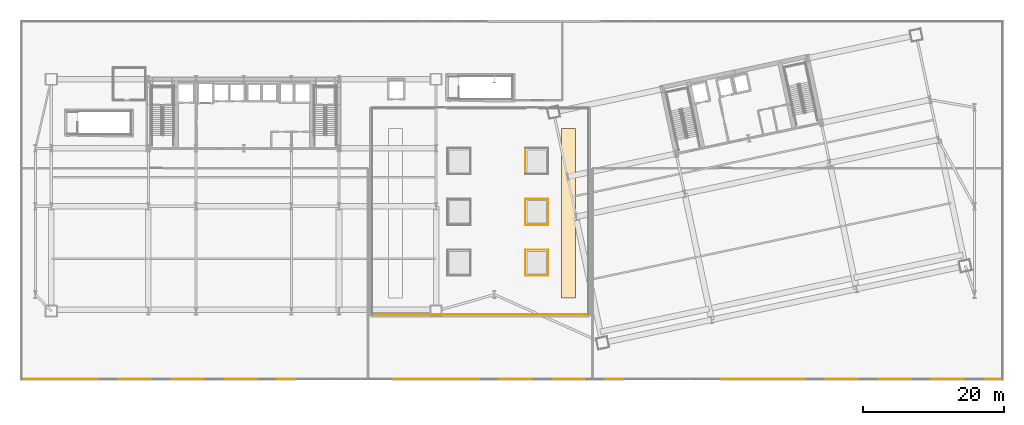
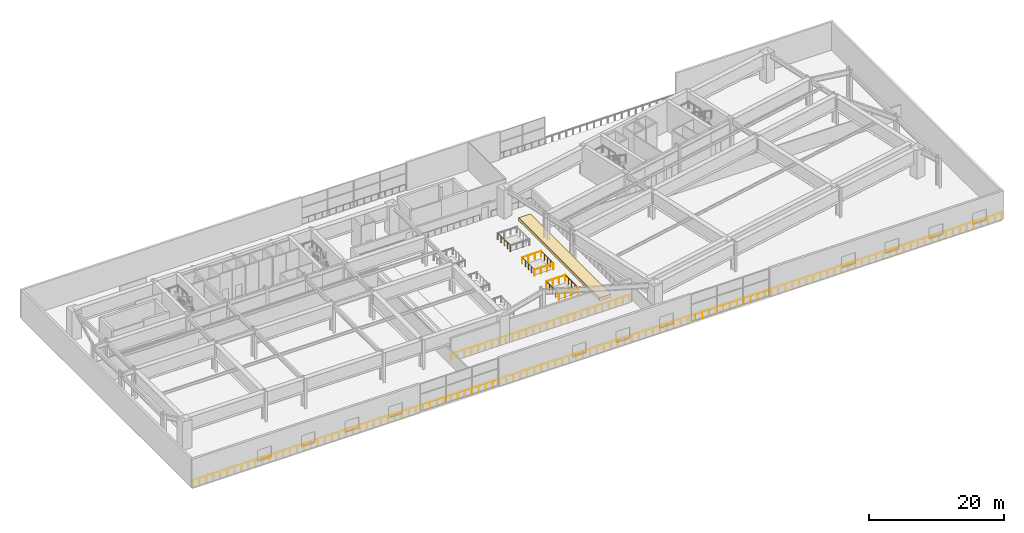
# One storey, part 24 of 29: 11 railings, 1 covering.
"""IFC4 building model written with IfcOpenShell, lengths in metres."""

import ifcopenshell
import ifcopenshell.guid

model = None  # the IFC model being written
_history = None  # IfcOwnerHistory: only IFC2X3 demands one
_inside = {}  # id of a spatial element -> (the spatial element, [elements in it])
_under = {}  # id of a project, library or spatial element -> (it, [spatial elements below it])
_declared = {}  # id of a project -> (the project, [libraries it declares])
_typed = {}  # id of a type object -> (the type object, [elements of that type])
_made_of = {}  # id of a material, layer set ... -> (it, [elements and type objects made of it])


def new_model(schema):
    """Start an empty IFC model of exactly this schema.

    Asked for "IFC4X3", IfcOpenShell would pick the latest addendum, in which some entities
    have other attributes; the version numbers below select the first issue.
    IFC2X3 requires an IfcOwnerHistory on every rooted entity: one is made here for all.
    """
    global model, _history
    if schema == "IFC4X3":
        model = ifcopenshell.file(schema_version=(4, 3, 0, 0))
    else:
        model = ifcopenshell.file(schema=schema)
    _inside.clear()
    _under.clear()
    _declared.clear()
    _typed.clear()
    _made_of.clear()
    _history = None
    if model.schema == "IFC2X3":
        org = make("IfcOrganization", Name="unknown")
        user = make(
            "IfcPersonAndOrganization",
            ThePerson=make("IfcPerson", FamilyName="unknown"),
            TheOrganization=org,
        )
        app = make(
            "IfcApplication",
            ApplicationDeveloper=org,
            Version="unknown",
            ApplicationFullName="unknown",
            ApplicationIdentifier="unknown",
        )
        _history = make(
            "IfcOwnerHistory",
            OwningUser=user,
            OwningApplication=app,
            ChangeAction="ADDED",
            CreationDate=0,
        )
    return model


def make(cls, **values):
    """One entity of the class cls with the attributes given. An attribute that is None is left unset."""
    return model.create_entity(
        cls, **{name: value for name, value in values.items() if value is not None}
    )


def rooted(cls, **values):
    """An entity with a GlobalId (a new one), such as an element, a storey or a relation."""
    return make(cls, GlobalId=ifcopenshell.guid.new(), OwnerHistory=_history, **values)


def si_unit(unit_type, name, prefix=None):
    """IfcSIUnit, for example si_unit("LENGTHUNIT", "METRE", prefix="MILLI")."""
    return make("IfcSIUnit", UnitType=unit_type, Prefix=prefix, Name=name)


def assignment(units):
    """IfcUnitAssignment: the units of a project."""
    return None if units is None else make("IfcUnitAssignment", Units=units)


def point(xyz):
    """IfcCartesianPoint."""
    return None if xyz is None else make("IfcCartesianPoint", Coordinates=xyz)


def direction(xyz):
    """IfcDirection."""
    return None if xyz is None else make("IfcDirection", DirectionRatios=xyz)


def frame(location, z_axis=None, x_axis=None):
    """IfcAxis2Placement3D, a coordinate frame: its origin and axes. An axis left out is left unset."""
    return make(
        "IfcAxis2Placement3D",
        Location=point(location),
        Axis=direction(z_axis),
        RefDirection=direction(x_axis),
    )


def frame_2d(location, x_axis=None):
    """IfcAxis2Placement2D, a coordinate frame in the plane: its origin and x axis."""
    return make(
        "IfcAxis2Placement2D", Location=point(location), RefDirection=direction(x_axis)
    )


def origin():
    """The frame at (0, 0, 0) with its axes left unset."""
    return frame((0.0, 0.0, 0.0))


def origin_2d():
    """The frame at (0, 0) in the plane with its x axis left unset."""
    return frame_2d((0.0, 0.0))


def place(relative_to, where):
    """IfcLocalPlacement: puts the frame where relative to a parent placement (None: the world)."""
    return make(
        "IfcLocalPlacement", PlacementRelTo=relative_to, RelativePlacement=where
    )


def context(
    kind, dimensions, precision=None, world=None, true_north=None, identifier=None
):
    """IfcGeometricRepresentationContext, for example the 3D "Model" context."""
    return make(
        "IfcGeometricRepresentationContext",
        ContextIdentifier=identifier,
        ContextType=kind,
        CoordinateSpaceDimension=dimensions,
        Precision=precision,
        WorldCoordinateSystem=world,
        TrueNorth=true_north,
    )


def subcontext(parent, identifier, kind, view, scale=None):
    """IfcGeometricRepresentationSubContext, for example "Body" below "Model"."""
    return make(
        "IfcGeometricRepresentationSubContext",
        ContextIdentifier=identifier,
        ContextType=kind,
        ParentContext=parent,
        TargetScale=scale,
        TargetView=view,
    )


def project(units=None, contexts=None):
    """IfcProject with its units and contexts."""
    return rooted(
        "IfcProject",
        Name="project",
        RepresentationContexts=contexts,
        UnitsInContext=assignment(units),
    )


def spatial(cls, under=None, at=None, **own):
    """A site, building, storey or space (cls), placed at a placement, below another one or the project."""
    s = rooted(cls, ObjectPlacement=at, **own)
    if under is not None:
        _under.setdefault(under.id(), (under, []))[1].append(s)
    return s


def polyline(points):
    """IfcPolyline through the points."""
    return make("IfcPolyline", Points=[point(p) for p in points])


def profile(cls, at=None, kind="AREA", **sizes):
    """A parametric profile (cls). Its sizes go by their IFC names, for example OverallWidth=200.0."""
    return make(cls, ProfileType=kind, Position=at, **sizes)


def rectangle(**sizes):
    """IfcRectangleProfileDef."""
    return profile("IfcRectangleProfileDef", **sizes)


def outline(outer, holes=None, kind="AREA"):
    """IfcArbitraryClosedProfileDef: a profile drawn as a closed curve; with holes, ...WithVoids."""
    if holes is None:
        return make("IfcArbitraryClosedProfileDef", ProfileType=kind, OuterCurve=outer)
    return make(
        "IfcArbitraryProfileDefWithVoids",
        ProfileType=kind,
        OuterCurve=outer,
        InnerCurves=holes,
    )


def extrude(swept, where, along, depth):
    """IfcExtrudedAreaSolid: the profile swept, set in the frame where, extruded along a direction by depth."""
    return make(
        "IfcExtrudedAreaSolid",
        SweptArea=swept,
        Position=where,
        ExtrudedDirection=direction(along),
        Depth=depth,
    )


def shape(context_of_items, identifier, shape_type, items):
    """IfcShapeRepresentation: the items that make up one representation, for example the "Body"."""
    return make(
        "IfcShapeRepresentation",
        ContextOfItems=context_of_items,
        RepresentationIdentifier=identifier,
        RepresentationType=shape_type,
        Items=items,
    )


def material(Name=None, Category=None):
    """IfcMaterial."""
    return make("IfcMaterial", Name=Name, Category=Category)


def layer(
    of_material, thickness, ventilated=None, Name=None, Category=None, Priority=None
):
    """IfcMaterialLayer: one layer of a wall or slab, of a material (None: an air gap)."""
    return make(
        "IfcMaterialLayer",
        Material=of_material,
        LayerThickness=thickness,
        IsVentilated=ventilated,
        Name=Name,
        Category=Category,
        Priority=Priority,
    )


def layer_set(layers, Name=None):
    """IfcMaterialLayerSet."""
    return make("IfcMaterialLayerSet", MaterialLayers=layers, LayerSetName=Name)


def made_of(thing, what):
    """Note that an element or type object is made of a material, layer set ...; save() writes the relation."""
    if what is not None:
        _made_of.setdefault(what.id(), (what, []))[1].append(thing)
    return thing


def type_object(cls, material=None, **own):
    """A type object (cls), such as IfcWallType, which elements share."""
    return made_of(rooted(cls, **own), material)


def element(
    cls,
    number,
    at=None,
    inside=None,
    cuts=None,
    type_object=None,
    material=None,
    context=None,
    identifier="Body",
    shape_type=None,
    held_by="IfcProductDefinitionShape",
    body=None,
    shapes=None,
    **own,
):
    """One element of the class cls, such as IfcWall. Its Tag is "e" and its number.

    at: its placement. inside: the storey or other place that contains it. cuts: it is an
    opening in that element (IfcRelVoidsElement). A single representation is given by context,
    identifier, shape_type and body (its items); several are given by shapes. held_by: the class
    of the entity that holds the representations. save() writes the other relations.
    """
    e = rooted(cls, Tag="e%d" % number, ObjectPlacement=at, **own)
    if body is not None:
        shapes = [shape(context, identifier, shape_type, body)]
    if shapes is not None:
        e.Representation = make(held_by, Representations=shapes)
    if inside is not None:
        _inside.setdefault(inside.id(), (inside, []))[1].append(e)
    if cuts is not None:
        rooted(
            "IfcRelVoidsElement", RelatingBuildingElement=cuts, RelatedOpeningElement=e
        )
    if type_object is not None:
        _typed.setdefault(type_object.id(), (type_object, []))[1].append(e)
    return made_of(e, material)


def aggregate(whole, parts):
    """IfcRelAggregates: a whole, such as a stair, and the parts it consists of."""
    return rooted("IfcRelAggregates", RelatingObject=whole, RelatedObjects=parts)


def save(model, path):
    """Write the relations noted so far, then the file.

    IfcRelAggregates (storeys below a building ...), IfcRelContainedInSpatialStructure (elements
    in a storey), IfcRelDefinesByType, IfcRelAssociatesMaterial and IfcRelDeclares: one each for
    every whole, place, type object, material and project.
    """
    for whole, parts in _under.values():
        aggregate(whole, parts)
    for where, things in _inside.values():
        rooted(
            "IfcRelContainedInSpatialStructure",
            RelatedElements=things,
            RelatingStructure=where,
        )
    for kind, things in _typed.values():
        rooted("IfcRelDefinesByType", RelatedObjects=things, RelatingType=kind)
    for what, things in _made_of.values():
        rooted("IfcRelAssociatesMaterial", RelatedObjects=things, RelatingMaterial=what)
    for by, libraries in _declared.values():
        rooted("IfcRelDeclares", RelatingContext=by, RelatedDefinitions=libraries)
    model.write(path)


model = new_model("IFC4")

# Units and contexts
model_context = context("Model", 3, precision=1e-05, world=origin(), true_north=direction((0.0, 1.0)))
body_context = subcontext(model_context, "Body", "Model", "MODEL_VIEW")
ifc_project = project(units=[si_unit("LENGTHUNIT", "METRE"), si_unit("AREAUNIT", "SQUARE_METRE"), si_unit("VOLUMEUNIT", "CUBIC_METRE"), si_unit("PLANEANGLEUNIT", "RADIAN"), si_unit("MASSUNIT", "GRAM", prefix="KILO")], contexts=[model_context])

# Site, building, storey
site_placement = place(None, origin())
site = spatial("IfcSite", under=ifc_project, at=site_placement, CompositionType="ELEMENT")
building_placement = place(site_placement, origin())
building = spatial("IfcBuilding", under=site, at=building_placement, Name="Haevon Station Towers", CompositionType="ELEMENT")
storey_placement = place(building_placement, frame((0.0, 0.0, 25.199951171875)))
storey = spatial("IfcBuildingStorey", under=building, at=storey_placement, Name="L05", CompositionType="ELEMENT", Elevation=25.199951171875)

# Railings
ifc_material_1 = material(Name="Steel S355", Category="steel")
railing_type = type_object("IfcRailingType", Name="GRD-EXT1200", PredefinedType="GUARDRAIL", material=ifc_material_1)
railing_1_placement = place(storey_placement, frame((77.370361328125, 20.16015625, 0.0)))
element("IfcRailing", 1, at=railing_1_placement, inside=storey, type_object=railing_type, Name="L05 Atrium Void Balustrade 1", PredefinedType="GUARDRAIL", context=body_context, shape_type="SweptSolid", body=[
    extrude(rectangle(XDim=0.048095703125, YDim=0.048095703125, at=origin_2d()), frame((0.0, 0.0, 1.17578125), z_axis=(1.0, 0.0, 0.0), x_axis=(0.0, 1.0, 0.0)), (0.0, 0.0, 1.0), 3.25927734375),
    extrude(rectangle(XDim=0.0419921875, YDim=0.0419921875, at=origin_2d()), origin(), (0.0, 0.0, 1.0), 1.15185546875),
    extrude(rectangle(XDim=0.0419921875, YDim=0.0419921875, at=origin_2d()), frame((1.08642578125, 0.0, 0.0)), (0.0, 0.0, 1.0), 1.15185546875),
    extrude(rectangle(XDim=0.0419921875, YDim=0.0419921875, at=origin_2d()), frame((2.1728515625, 0.0, 0.0)), (0.0, 0.0, 1.0), 1.15185546875),
    extrude(rectangle(XDim=0.0419921875, YDim=0.0419921875, at=origin_2d()), frame((3.25927734375, 0.0, 0.0)), (0.0, 0.0, 1.0), 1.15185546875),
])
railing_2_placement = place(storey_placement, frame((80.629638671875, 20.16015625, 0.0)))
element("IfcRailing", 2, at=railing_2_placement, inside=storey, type_object=railing_type, Name="L05 Atrium Void Balustrade 2", PredefinedType="GUARDRAIL", context=body_context, shape_type="SweptSolid", body=[
    extrude(rectangle(XDim=0.048095703125, YDim=0.048095703125, at=origin_2d()), frame((0.0, 0.0, 1.17578125), z_axis=(0.0, 1.0, 0.0), x_axis=(-1.0, 0.0, 0.0)), (0.0, 0.0, 1.0), 3.6796875),
    extrude(rectangle(XDim=0.0419921875, YDim=0.0419921875, at=origin_2d()), origin(), (0.0, 0.0, 1.0), 1.15185546875),
    extrude(rectangle(XDim=0.0419921875, YDim=0.0419921875, at=origin_2d()), frame((0.0, 0.919921875, 0.0)), (0.0, 0.0, 1.0), 1.15185546875),
    extrude(rectangle(XDim=0.0419921875, YDim=0.0419921875, at=origin_2d()), frame((0.0, 1.83984375, 0.0)), (0.0, 0.0, 1.0), 1.15185546875),
    extrude(rectangle(XDim=0.0419921875, YDim=0.0419921875, at=origin_2d()), frame((0.0, 2.759765625, 0.0)), (0.0, 0.0, 1.0), 1.15185546875),
    extrude(rectangle(XDim=0.0419921875, YDim=0.0419921875, at=origin_2d()), frame((0.0, 3.6796875, 0.0)), (0.0, 0.0, 1.0), 1.15185546875),
])
railing_3_placement = place(storey_placement, frame((80.629638671875, 23.83984375, 0.0)))
element("IfcRailing", 3, at=railing_3_placement, inside=storey, type_object=railing_type, Name="L05 Atrium Void Balustrade 3", PredefinedType="GUARDRAIL", context=body_context, shape_type="SweptSolid", body=[
    extrude(rectangle(XDim=0.048095703125, YDim=0.048095703125, at=origin_2d()), frame((0.0, 0.0, 1.17578125), z_axis=(-1.0, 0.0, 0.0), x_axis=(0.0, -1.0, 0.0)), (0.0, 0.0, 1.0), 3.25927734375),
    extrude(rectangle(XDim=0.0419921875, YDim=0.0419921875, at=origin_2d()), origin(), (0.0, 0.0, 1.0), 1.15185546875),
    extrude(rectangle(XDim=0.0419921875, YDim=0.0419921875, at=origin_2d()), frame((-1.08642578125, 0.0, 0.0)), (0.0, 0.0, 1.0), 1.15185546875),
    extrude(rectangle(XDim=0.0419921875, YDim=0.0419921875, at=origin_2d()), frame((-2.1728515625, 0.0, 0.0)), (0.0, 0.0, 1.0), 1.15185546875),
    extrude(rectangle(XDim=0.0419921875, YDim=0.0419921875, at=origin_2d()), frame((-3.25927734375, 0.0, 0.0)), (0.0, 0.0, 1.0), 1.15185546875),
])
railing_4_placement = place(storey_placement, frame((77.370361328125, 23.83984375, 0.0)))
element("IfcRailing", 4, at=railing_4_placement, inside=storey, type_object=railing_type, Name="L05 Atrium Void Balustrade 4", PredefinedType="GUARDRAIL", context=body_context, shape_type="SweptSolid", body=[
    extrude(rectangle(XDim=0.048095703125, YDim=0.048095703125, at=origin_2d()), frame((0.0, 0.0, 1.17578125), z_axis=(0.0, -1.0, 0.0), x_axis=(1.0, 0.0, 0.0)), (0.0, 0.0, 1.0), 3.6796875),
    extrude(rectangle(XDim=0.0419921875, YDim=0.0419921875, at=origin_2d()), origin(), (0.0, 0.0, 1.0), 1.15185546875),
    extrude(rectangle(XDim=0.0419921875, YDim=0.0419921875, at=origin_2d()), frame((0.0, -0.919921875, 0.0)), (0.0, 0.0, 1.0), 1.15185546875),
    extrude(rectangle(XDim=0.0419921875, YDim=0.0419921875, at=origin_2d()), frame((0.0, -1.83984375, 0.0)), (0.0, 0.0, 1.0), 1.15185546875),
    extrude(rectangle(XDim=0.0419921875, YDim=0.0419921875, at=origin_2d()), frame((0.0, -2.759765625, 0.0)), (0.0, 0.0, 1.0), 1.15185546875),
    extrude(rectangle(XDim=0.0419921875, YDim=0.0419921875, at=origin_2d()), frame((0.0, -3.6796875, 0.0)), (0.0, 0.0, 1.0), 1.15185546875),
])
railing_5_placement = place(storey_placement, frame((77.370361328125, 27.360107421875, 0.0)))
element("IfcRailing", 5, at=railing_5_placement, inside=storey, type_object=railing_type, Name="L05 Atrium Void Balustrade 1", PredefinedType="GUARDRAIL", context=body_context, shape_type="SweptSolid", body=[
    extrude(rectangle(XDim=0.048095703125, YDim=0.048095703125, at=origin_2d()), frame((0.0, 0.0, 1.17578125), z_axis=(1.0, 0.0, 0.0), x_axis=(0.0, 1.0, 0.0)), (0.0, 0.0, 1.0), 3.25927734375),
    extrude(rectangle(XDim=0.0419921875, YDim=0.0419921875, at=origin_2d()), origin(), (0.0, 0.0, 1.0), 1.15185546875),
    extrude(rectangle(XDim=0.0419921875, YDim=0.0419921875, at=origin_2d()), frame((1.08642578125, 0.0, 0.0)), (0.0, 0.0, 1.0), 1.15185546875),
    extrude(rectangle(XDim=0.0419921875, YDim=0.0419921875, at=origin_2d()), frame((2.1728515625, 0.0, 0.0)), (0.0, 0.0, 1.0), 1.15185546875),
    extrude(rectangle(XDim=0.0419921875, YDim=0.0419921875, at=origin_2d()), frame((3.25927734375, 0.0, 0.0)), (0.0, 0.0, 1.0), 1.15185546875),
])
railing_6_placement = place(storey_placement, frame((80.629638671875, 27.360107421875, 0.0)))
element("IfcRailing", 6, at=railing_6_placement, inside=storey, type_object=railing_type, Name="L05 Atrium Void Balustrade 2", PredefinedType="GUARDRAIL", context=body_context, shape_type="SweptSolid", body=[
    extrude(rectangle(XDim=0.048095703125, YDim=0.048095703125, at=origin_2d()), frame((0.0, 0.0, 1.17578125), z_axis=(0.0, 1.0, 0.0), x_axis=(-1.0, 0.0, 0.0)), (0.0, 0.0, 1.0), 3.6796875),
    extrude(rectangle(XDim=0.0419921875, YDim=0.0419921875, at=origin_2d()), origin(), (0.0, 0.0, 1.0), 1.15185546875),
    extrude(rectangle(XDim=0.0419921875, YDim=0.0419921875, at=origin_2d()), frame((0.0, 0.919921875, 0.0)), (0.0, 0.0, 1.0), 1.15185546875),
    extrude(rectangle(XDim=0.0419921875, YDim=0.0419921875, at=origin_2d()), frame((0.0, 1.83984375, 0.0)), (0.0, 0.0, 1.0), 1.15185546875),
    extrude(rectangle(XDim=0.0419921875, YDim=0.0419921875, at=origin_2d()), frame((0.0, 2.759765625, 0.0)), (0.0, 0.0, 1.0), 1.15185546875),
    extrude(rectangle(XDim=0.0419921875, YDim=0.0419921875, at=origin_2d()), frame((0.0, 3.6796875, 0.0)), (0.0, 0.0, 1.0), 1.15185546875),
])
railing_7_placement = place(storey_placement, frame((80.629638671875, 31.039794921875, 0.0)))
element("IfcRailing", 7, at=railing_7_placement, inside=storey, type_object=railing_type, Name="L05 Atrium Void Balustrade 3", PredefinedType="GUARDRAIL", context=body_context, shape_type="SweptSolid", body=[
    extrude(rectangle(XDim=0.048095703125, YDim=0.048095703125, at=origin_2d()), frame((0.0, 0.0, 1.17578125), z_axis=(-1.0, 0.0, 0.0), x_axis=(0.0, -1.0, 0.0)), (0.0, 0.0, 1.0), 3.25927734375),
    extrude(rectangle(XDim=0.0419921875, YDim=0.0419921875, at=origin_2d()), origin(), (0.0, 0.0, 1.0), 1.15185546875),
    extrude(rectangle(XDim=0.0419921875, YDim=0.0419921875, at=origin_2d()), frame((-1.08642578125, 0.0, 0.0)), (0.0, 0.0, 1.0), 1.15185546875),
    extrude(rectangle(XDim=0.0419921875, YDim=0.0419921875, at=origin_2d()), frame((-2.1728515625, 0.0, 0.0)), (0.0, 0.0, 1.0), 1.15185546875),
    extrude(rectangle(XDim=0.0419921875, YDim=0.0419921875, at=origin_2d()), frame((-3.25927734375, 0.0, 0.0)), (0.0, 0.0, 1.0), 1.15185546875),
])
for number, where, name in (
    (8, (77.370361328125, 31.039794921875, 0.0), "L05 Atrium Void Balustrade 4"),
    (9, (77.370361328125, 38.23974609375, 0.0), "L05 Atrium Void Balustrade 4"),
):
    element("IfcRailing", number, at=place(storey_placement, frame(where)), inside=storey, type_object=railing_type, Name=name, PredefinedType="GUARDRAIL", context=body_context, shape_type="SweptSolid", body=[
        extrude(rectangle(XDim=0.048095703125, YDim=0.048095703125, at=origin_2d()), frame((0.0, 0.0, 1.17578125), z_axis=(0.0, -1.0, 0.0), x_axis=(1.0, 0.0, 0.0)), (0.0, 0.0, 1.0), 3.6796875),
        extrude(rectangle(XDim=0.0419921875, YDim=0.0419921875, at=origin_2d()), origin(), (0.0, 0.0, 1.0), 1.15185546875),
        extrude(rectangle(XDim=0.0419921875, YDim=0.0419921875, at=origin_2d()), frame((0.0, -0.919921875, 0.0)), (0.0, 0.0, 1.0), 1.15185546875),
        extrude(rectangle(XDim=0.0419921875, YDim=0.0419921875, at=origin_2d()), frame((0.0, -1.83984375, 0.0)), (0.0, 0.0, 1.0), 1.15185546875),
        extrude(rectangle(XDim=0.0419921875, YDim=0.0419921875, at=origin_2d()), frame((0.0, -2.759765625, 0.0)), (0.0, 0.0, 1.0), 1.15185546875),
        extrude(rectangle(XDim=0.0419921875, YDim=0.0419921875, at=origin_2d()), frame((0.0, -3.6796875, 0.0)), (0.0, 0.0, 1.0), 1.15185546875),
    ])
railing_8_placement = place(storey_placement, frame((55.64990234375, 14.64990234375, 0.0)))
element("IfcRailing", 10, at=railing_8_placement, inside=storey, type_object=railing_type, Name="L05 Podium Roof Garden Guardrail 1", PredefinedType="GUARDRAIL", context=body_context, shape_type="SweptSolid", body=[
    extrude(rectangle(XDim=0.048095703125, YDim=0.048095703125, at=origin_2d()), frame((0.0, 0.0, 1.17578125), z_axis=(1.0, 0.0, 0.0), x_axis=(0.0, 1.0, 0.0)), (0.0, 0.0, 1.0), 30.7001953125),
    extrude(rectangle(XDim=0.0419921875, YDim=0.0419921875, at=origin_2d()), origin(), (0.0, 0.0, 1.0), 1.15185546875),
    extrude(rectangle(XDim=0.0419921875, YDim=0.0419921875, at=origin_2d()), frame((1.1806640625, 0.0, 0.0)), (0.0, 0.0, 1.0), 1.15185546875),
    extrude(rectangle(XDim=0.0419921875, YDim=0.0419921875, at=origin_2d()), frame((2.361572265625, 0.0, 0.0)), (0.0, 0.0, 1.0), 1.15185546875),
    extrude(rectangle(XDim=0.0419921875, YDim=0.0419921875, at=origin_2d()), frame((3.542236328125, 0.0, 0.0)), (0.0, 0.0, 1.0), 1.15185546875),
    extrude(rectangle(XDim=0.0419921875, YDim=0.0419921875, at=origin_2d()), frame((4.72314453125, 0.0, 0.0)), (0.0, 0.0, 1.0), 1.15185546875),
    extrude(rectangle(XDim=0.0419921875, YDim=0.0419921875, at=origin_2d()), frame((5.90380859375, 0.0, 0.0)), (0.0, 0.0, 1.0), 1.15185546875),
    extrude(rectangle(XDim=0.0419921875, YDim=0.0419921875, at=origin_2d()), frame((7.084716796875, 0.0, 0.0)), (0.0, 0.0, 1.0), 1.15185546875),
    extrude(rectangle(XDim=0.0419921875, YDim=0.0419921875, at=origin_2d()), frame((8.265380859375, 0.0, 0.0)), (0.0, 0.0, 1.0), 1.15185546875),
    extrude(rectangle(XDim=0.0419921875, YDim=0.0419921875, at=origin_2d()), frame((9.4462890625, 0.0, 0.0)), (0.0, 0.0, 1.0), 1.15185546875),
    extrude(rectangle(XDim=0.0419921875, YDim=0.0419921875, at=origin_2d()), frame((10.626953125, 0.0, 0.0)), (0.0, 0.0, 1.0), 1.15185546875),
    extrude(rectangle(XDim=0.0419921875, YDim=0.0419921875, at=origin_2d()), frame((11.807861328125, 0.0, 0.0)), (0.0, 0.0, 1.0), 1.15185546875),
    extrude(rectangle(XDim=0.0419921875, YDim=0.0419921875, at=origin_2d()), frame((12.988525390625, 0.0, 0.0)), (0.0, 0.0, 1.0), 1.15185546875),
    extrude(rectangle(XDim=0.0419921875, YDim=0.0419921875, at=origin_2d()), frame((14.16943359375, 0.0, 0.0)), (0.0, 0.0, 1.0), 1.15185546875),
    extrude(rectangle(XDim=0.0419921875, YDim=0.0419921875, at=origin_2d()), frame((15.35009765625, 0.0, 0.0)), (0.0, 0.0, 1.0), 1.15185546875),
    extrude(rectangle(XDim=0.0419921875, YDim=0.0419921875, at=origin_2d()), frame((16.53076171875, 0.0, 0.0)), (0.0, 0.0, 1.0), 1.15185546875),
    extrude(rectangle(XDim=0.0419921875, YDim=0.0419921875, at=origin_2d()), frame((17.711669921875, 0.0, 0.0)), (0.0, 0.0, 1.0), 1.15185546875),
    extrude(rectangle(XDim=0.0419921875, YDim=0.0419921875, at=origin_2d()), frame((18.892333984375, 0.0, 0.0)), (0.0, 0.0, 1.0), 1.15185546875),
    extrude(rectangle(XDim=0.0419921875, YDim=0.0419921875, at=origin_2d()), frame((20.0732421875, 0.0, 0.0)), (0.0, 0.0, 1.0), 1.15185546875),
    extrude(rectangle(XDim=0.0419921875, YDim=0.0419921875, at=origin_2d()), frame((21.25390625, 0.0, 0.0)), (0.0, 0.0, 1.0), 1.15185546875),
    extrude(rectangle(XDim=0.0419921875, YDim=0.0419921875, at=origin_2d()), frame((22.434814453125, 0.0, 0.0)), (0.0, 0.0, 1.0), 1.15185546875),
    extrude(rectangle(XDim=0.0419921875, YDim=0.0419921875, at=origin_2d()), frame((23.615478515625, 0.0, 0.0)), (0.0, 0.0, 1.0), 1.15185546875),
    extrude(rectangle(XDim=0.0419921875, YDim=0.0419921875, at=origin_2d()), frame((24.79638671875, 0.0, 0.0)), (0.0, 0.0, 1.0), 1.15185546875),
    extrude(rectangle(XDim=0.0419921875, YDim=0.0419921875, at=origin_2d()), frame((25.97705078125, 0.0, 0.0)), (0.0, 0.0, 1.0), 1.15185546875),
    extrude(rectangle(XDim=0.0419921875, YDim=0.0419921875, at=origin_2d()), frame((27.157958984375, 0.0, 0.0)), (0.0, 0.0, 1.0), 1.15185546875),
    extrude(rectangle(XDim=0.0419921875, YDim=0.0419921875, at=origin_2d()), frame((28.338623046875, 0.0, 0.0)), (0.0, 0.0, 1.0), 1.15185546875),
    extrude(rectangle(XDim=0.0419921875, YDim=0.0419921875, at=origin_2d()), frame((29.51953125, 0.0, 0.0)), (0.0, 0.0, 1.0), 1.15185546875),
    extrude(rectangle(XDim=0.0419921875, YDim=0.0419921875, at=origin_2d()), frame((30.7001953125, 0.0, 0.0)), (0.0, 0.0, 1.0), 1.15185546875),
])
railing_9_placement = place(storey_placement, frame((6.0751953125, 5.52734375, 0.0)))
element("IfcRailing", 11, at=railing_9_placement, inside=storey, type_object=railing_type, Name="L05 Perimeter Guardrail 1", PredefinedType="GUARDRAIL", context=body_context, shape_type="SweptSolid", body=[
    extrude(rectangle(XDim=0.048095703125, YDim=0.048095703125, at=origin_2d()), frame((0.0, 0.0, 1.17578125), z_axis=(1.0, 0.0, 0.0), x_axis=(0.0, 1.0, 0.0)), (0.0, 0.0, 1.0), 138.849609375),
    extrude(rectangle(XDim=0.0419921875, YDim=0.0419921875, at=origin_2d()), origin(), (0.0, 0.0, 1.0), 1.15185546875),
    extrude(rectangle(XDim=0.0419921875, YDim=0.0419921875, at=origin_2d()), frame((1.197021484375, 0.0, 0.0)), (0.0, 0.0, 1.0), 1.15185546875),
    extrude(rectangle(XDim=0.0419921875, YDim=0.0419921875, at=origin_2d()), frame((2.39404296875, 0.0, 0.0)), (0.0, 0.0, 1.0), 1.15185546875),
    extrude(rectangle(XDim=0.0419921875, YDim=0.0419921875, at=origin_2d()), frame((3.5908203125, 0.0, 0.0)), (0.0, 0.0, 1.0), 1.15185546875),
    extrude(rectangle(XDim=0.0419921875, YDim=0.0419921875, at=origin_2d()), frame((4.787841796875, 0.0, 0.0)), (0.0, 0.0, 1.0), 1.15185546875),
    extrude(rectangle(XDim=0.0419921875, YDim=0.0419921875, at=origin_2d()), frame((5.98486328125, 0.0, 0.0)), (0.0, 0.0, 1.0), 1.15185546875),
    extrude(rectangle(XDim=0.0419921875, YDim=0.0419921875, at=origin_2d()), frame((7.181884765625, 0.0, 0.0)), (0.0, 0.0, 1.0), 1.15185546875),
    extrude(rectangle(XDim=0.0419921875, YDim=0.0419921875, at=origin_2d()), frame((8.37890625, 0.0, 0.0)), (0.0, 0.0, 1.0), 1.15185546875),
    extrude(rectangle(XDim=0.0419921875, YDim=0.0419921875, at=origin_2d()), frame((9.575927734375, 0.0, 0.0)), (0.0, 0.0, 1.0), 1.15185546875),
    extrude(rectangle(XDim=0.0419921875, YDim=0.0419921875, at=origin_2d()), frame((10.772705078125, 0.0, 0.0)), (0.0, 0.0, 1.0), 1.15185546875),
    extrude(rectangle(XDim=0.0419921875, YDim=0.0419921875, at=origin_2d()), frame((11.9697265625, 0.0, 0.0)), (0.0, 0.0, 1.0), 1.15185546875),
    extrude(rectangle(XDim=0.0419921875, YDim=0.0419921875, at=origin_2d()), frame((13.166748046875, 0.0, 0.0)), (0.0, 0.0, 1.0), 1.15185546875),
    extrude(rectangle(XDim=0.0419921875, YDim=0.0419921875, at=origin_2d()), frame((14.36376953125, 0.0, 0.0)), (0.0, 0.0, 1.0), 1.15185546875),
    extrude(rectangle(XDim=0.0419921875, YDim=0.0419921875, at=origin_2d()), frame((15.560791015625, 0.0, 0.0)), (0.0, 0.0, 1.0), 1.15185546875),
    extrude(rectangle(XDim=0.0419921875, YDim=0.0419921875, at=origin_2d()), frame((16.7578125, 0.0, 0.0)), (0.0, 0.0, 1.0), 1.15185546875),
    extrude(rectangle(XDim=0.0419921875, YDim=0.0419921875, at=origin_2d()), frame((17.95458984375, 0.0, 0.0)), (0.0, 0.0, 1.0), 1.15185546875),
    extrude(rectangle(XDim=0.0419921875, YDim=0.0419921875, at=origin_2d()), frame((19.151611328125, 0.0, 0.0)), (0.0, 0.0, 1.0), 1.15185546875),
    extrude(rectangle(XDim=0.0419921875, YDim=0.0419921875, at=origin_2d()), frame((20.3486328125, 0.0, 0.0)), (0.0, 0.0, 1.0), 1.15185546875),
    extrude(rectangle(XDim=0.0419921875, YDim=0.0419921875, at=origin_2d()), frame((21.545654296875, 0.0, 0.0)), (0.0, 0.0, 1.0), 1.15185546875),
    extrude(rectangle(XDim=0.0419921875, YDim=0.0419921875, at=origin_2d()), frame((22.74267578125, 0.0, 0.0)), (0.0, 0.0, 1.0), 1.15185546875),
    extrude(rectangle(XDim=0.0419921875, YDim=0.0419921875, at=origin_2d()), frame((23.939697265625, 0.0, 0.0)), (0.0, 0.0, 1.0), 1.15185546875),
    extrude(rectangle(XDim=0.0419921875, YDim=0.0419921875, at=origin_2d()), frame((25.136474609375, 0.0, 0.0)), (0.0, 0.0, 1.0), 1.15185546875),
    extrude(rectangle(XDim=0.0419921875, YDim=0.0419921875, at=origin_2d()), frame((26.33349609375, 0.0, 0.0)), (0.0, 0.0, 1.0), 1.15185546875),
    extrude(rectangle(XDim=0.0419921875, YDim=0.0419921875, at=origin_2d()), frame((27.530517578125, 0.0, 0.0)), (0.0, 0.0, 1.0), 1.15185546875),
    extrude(rectangle(XDim=0.0419921875, YDim=0.0419921875, at=origin_2d()), frame((28.7275390625, 0.0, 0.0)), (0.0, 0.0, 1.0), 1.15185546875),
    extrude(rectangle(XDim=0.0419921875, YDim=0.0419921875, at=origin_2d()), frame((29.924560546875, 0.0, 0.0)), (0.0, 0.0, 1.0), 1.15185546875),
    extrude(rectangle(XDim=0.0419921875, YDim=0.0419921875, at=origin_2d()), frame((31.12158203125, 0.0, 0.0)), (0.0, 0.0, 1.0), 1.15185546875),
    extrude(rectangle(XDim=0.0419921875, YDim=0.0419921875, at=origin_2d()), frame((32.318359375, 0.0, 0.0)), (0.0, 0.0, 1.0), 1.15185546875),
    extrude(rectangle(XDim=0.0419921875, YDim=0.0419921875, at=origin_2d()), frame((33.515380859375, 0.0, 0.0)), (0.0, 0.0, 1.0), 1.15185546875),
    extrude(rectangle(XDim=0.0419921875, YDim=0.0419921875, at=origin_2d()), frame((34.71240234375, 0.0, 0.0)), (0.0, 0.0, 1.0), 1.15185546875),
    extrude(rectangle(XDim=0.0419921875, YDim=0.0419921875, at=origin_2d()), frame((35.909423828125, 0.0, 0.0)), (0.0, 0.0, 1.0), 1.15185546875),
    extrude(rectangle(XDim=0.0419921875, YDim=0.0419921875, at=origin_2d()), frame((37.1064453125, 0.0, 0.0)), (0.0, 0.0, 1.0), 1.15185546875),
    extrude(rectangle(XDim=0.0419921875, YDim=0.0419921875, at=origin_2d()), frame((38.30322265625, 0.0, 0.0)), (0.0, 0.0, 1.0), 1.15185546875),
    extrude(rectangle(XDim=0.0419921875, YDim=0.0419921875, at=origin_2d()), frame((39.500244140625, 0.0, 0.0)), (0.0, 0.0, 1.0), 1.15185546875),
    extrude(rectangle(XDim=0.0419921875, YDim=0.0419921875, at=origin_2d()), frame((40.697265625, 0.0, 0.0)), (0.0, 0.0, 1.0), 1.15185546875),
    extrude(rectangle(XDim=0.0419921875, YDim=0.0419921875, at=origin_2d()), frame((41.894287109375, 0.0, 0.0)), (0.0, 0.0, 1.0), 1.15185546875),
    extrude(rectangle(XDim=0.0419921875, YDim=0.0419921875, at=origin_2d()), frame((43.09130859375, 0.0, 0.0)), (0.0, 0.0, 1.0), 1.15185546875),
    extrude(rectangle(XDim=0.0419921875, YDim=0.0419921875, at=origin_2d()), frame((44.288330078125, 0.0, 0.0)), (0.0, 0.0, 1.0), 1.15185546875),
    extrude(rectangle(XDim=0.0419921875, YDim=0.0419921875, at=origin_2d()), frame((45.485107421875, 0.0, 0.0)), (0.0, 0.0, 1.0), 1.15185546875),
    extrude(rectangle(XDim=0.0419921875, YDim=0.0419921875, at=origin_2d()), frame((46.68212890625, 0.0, 0.0)), (0.0, 0.0, 1.0), 1.15185546875),
    extrude(rectangle(XDim=0.0419921875, YDim=0.0419921875, at=origin_2d()), frame((47.879150390625, 0.0, 0.0)), (0.0, 0.0, 1.0), 1.15185546875),
    extrude(rectangle(XDim=0.0419921875, YDim=0.0419921875, at=origin_2d()), frame((49.076171875, 0.0, 0.0)), (0.0, 0.0, 1.0), 1.15185546875),
    extrude(rectangle(XDim=0.0419921875, YDim=0.0419921875, at=origin_2d()), frame((50.273193359375, 0.0, 0.0)), (0.0, 0.0, 1.0), 1.15185546875),
    extrude(rectangle(XDim=0.0419921875, YDim=0.0419921875, at=origin_2d()), frame((51.47021484375, 0.0, 0.0)), (0.0, 0.0, 1.0), 1.15185546875),
    extrude(rectangle(XDim=0.0419921875, YDim=0.0419921875, at=origin_2d()), frame((52.6669921875, 0.0, 0.0)), (0.0, 0.0, 1.0), 1.15185546875),
    extrude(rectangle(XDim=0.0419921875, YDim=0.0419921875, at=origin_2d()), frame((53.864013671875, 0.0, 0.0)), (0.0, 0.0, 1.0), 1.15185546875),
    extrude(rectangle(XDim=0.0419921875, YDim=0.0419921875, at=origin_2d()), frame((55.06103515625, 0.0, 0.0)), (0.0, 0.0, 1.0), 1.15185546875),
    extrude(rectangle(XDim=0.0419921875, YDim=0.0419921875, at=origin_2d()), frame((56.258056640625, 0.0, 0.0)), (0.0, 0.0, 1.0), 1.15185546875),
    extrude(rectangle(XDim=0.0419921875, YDim=0.0419921875, at=origin_2d()), frame((57.455078125, 0.0, 0.0)), (0.0, 0.0, 1.0), 1.15185546875),
    extrude(rectangle(XDim=0.0419921875, YDim=0.0419921875, at=origin_2d()), frame((58.652099609375, 0.0, 0.0)), (0.0, 0.0, 1.0), 1.15185546875),
    extrude(rectangle(XDim=0.0419921875, YDim=0.0419921875, at=origin_2d()), frame((59.848876953125, 0.0, 0.0)), (0.0, 0.0, 1.0), 1.15185546875),
    extrude(rectangle(XDim=0.0419921875, YDim=0.0419921875, at=origin_2d()), frame((61.0458984375, 0.0, 0.0)), (0.0, 0.0, 1.0), 1.15185546875),
    extrude(rectangle(XDim=0.0419921875, YDim=0.0419921875, at=origin_2d()), frame((62.242919921875, 0.0, 0.0)), (0.0, 0.0, 1.0), 1.15185546875),
    extrude(rectangle(XDim=0.0419921875, YDim=0.0419921875, at=origin_2d()), frame((63.43994140625, 0.0, 0.0)), (0.0, 0.0, 1.0), 1.15185546875),
    extrude(rectangle(XDim=0.0419921875, YDim=0.0419921875, at=origin_2d()), frame((64.636962890625, 0.0, 0.0)), (0.0, 0.0, 1.0), 1.15185546875),
    extrude(rectangle(XDim=0.0419921875, YDim=0.0419921875, at=origin_2d()), frame((65.833984375, 0.0, 0.0)), (0.0, 0.0, 1.0), 1.15185546875),
    extrude(rectangle(XDim=0.0419921875, YDim=0.0419921875, at=origin_2d()), frame((67.03076171875, 0.0, 0.0)), (0.0, 0.0, 1.0), 1.15185546875),
    extrude(rectangle(XDim=0.0419921875, YDim=0.0419921875, at=origin_2d()), frame((68.227783203125, 0.0, 0.0)), (0.0, 0.0, 1.0), 1.15185546875),
    extrude(rectangle(XDim=0.0419921875, YDim=0.0419921875, at=origin_2d()), frame((69.4248046875, 0.0, 0.0)), (0.0, 0.0, 1.0), 1.15185546875),
    extrude(rectangle(XDim=0.0419921875, YDim=0.0419921875, at=origin_2d()), frame((70.621826171875, 0.0, 0.0)), (0.0, 0.0, 1.0), 1.15185546875),
    extrude(rectangle(XDim=0.0419921875, YDim=0.0419921875, at=origin_2d()), frame((71.81884765625, 0.0, 0.0)), (0.0, 0.0, 1.0), 1.15185546875),
    extrude(rectangle(XDim=0.0419921875, YDim=0.0419921875, at=origin_2d()), frame((73.015625, 0.0, 0.0)), (0.0, 0.0, 1.0), 1.15185546875),
    extrude(rectangle(XDim=0.0419921875, YDim=0.0419921875, at=origin_2d()), frame((74.212646484375, 0.0, 0.0)), (0.0, 0.0, 1.0), 1.15185546875),
    extrude(rectangle(XDim=0.0419921875, YDim=0.0419921875, at=origin_2d()), frame((75.40966796875, 0.0, 0.0)), (0.0, 0.0, 1.0), 1.15185546875),
    extrude(rectangle(XDim=0.0419921875, YDim=0.0419921875, at=origin_2d()), frame((76.606689453125, 0.0, 0.0)), (0.0, 0.0, 1.0), 1.15185546875),
    extrude(rectangle(XDim=0.0419921875, YDim=0.0419921875, at=origin_2d()), frame((77.8037109375, 0.0, 0.0)), (0.0, 0.0, 1.0), 1.15185546875),
    extrude(rectangle(XDim=0.0419921875, YDim=0.0419921875, at=origin_2d()), frame((79.000732421875, 0.0, 0.0)), (0.0, 0.0, 1.0), 1.15185546875),
    extrude(rectangle(XDim=0.0419921875, YDim=0.0419921875, at=origin_2d()), frame((80.197509765625, 0.0, 0.0)), (0.0, 0.0, 1.0), 1.15185546875),
    extrude(rectangle(XDim=0.0419921875, YDim=0.0419921875, at=origin_2d()), frame((81.39453125, 0.0, 0.0)), (0.0, 0.0, 1.0), 1.15185546875),
    extrude(rectangle(XDim=0.0419921875, YDim=0.0419921875, at=origin_2d()), frame((82.591552734375, 0.0, 0.0)), (0.0, 0.0, 1.0), 1.15185546875),
    extrude(rectangle(XDim=0.0419921875, YDim=0.0419921875, at=origin_2d()), frame((83.78857421875, 0.0, 0.0)), (0.0, 0.0, 1.0), 1.15185546875),
    extrude(rectangle(XDim=0.0419921875, YDim=0.0419921875, at=origin_2d()), frame((84.985595703125, 0.0, 0.0)), (0.0, 0.0, 1.0), 1.15185546875),
    extrude(rectangle(XDim=0.0419921875, YDim=0.0419921875, at=origin_2d()), frame((86.1826171875, 0.0, 0.0)), (0.0, 0.0, 1.0), 1.15185546875),
    extrude(rectangle(XDim=0.0419921875, YDim=0.0419921875, at=origin_2d()), frame((87.37939453125, 0.0, 0.0)), (0.0, 0.0, 1.0), 1.15185546875),
    extrude(rectangle(XDim=0.0419921875, YDim=0.0419921875, at=origin_2d()), frame((88.576416015625, 0.0, 0.0)), (0.0, 0.0, 1.0), 1.15185546875),
    extrude(rectangle(XDim=0.0419921875, YDim=0.0419921875, at=origin_2d()), frame((89.7734375, 0.0, 0.0)), (0.0, 0.0, 1.0), 1.15185546875),
    extrude(rectangle(XDim=0.0419921875, YDim=0.0419921875, at=origin_2d()), frame((90.970458984375, 0.0, 0.0)), (0.0, 0.0, 1.0), 1.15185546875),
    extrude(rectangle(XDim=0.0419921875, YDim=0.0419921875, at=origin_2d()), frame((92.16748046875, 0.0, 0.0)), (0.0, 0.0, 1.0), 1.15185546875),
    extrude(rectangle(XDim=0.0419921875, YDim=0.0419921875, at=origin_2d()), frame((93.364501953125, 0.0, 0.0)), (0.0, 0.0, 1.0), 1.15185546875),
    extrude(rectangle(XDim=0.0419921875, YDim=0.0419921875, at=origin_2d()), frame((94.561279296875, 0.0, 0.0)), (0.0, 0.0, 1.0), 1.15185546875),
    extrude(rectangle(XDim=0.0419921875, YDim=0.0419921875, at=origin_2d()), frame((95.75830078125, 0.0, 0.0)), (0.0, 0.0, 1.0), 1.15185546875),
    extrude(rectangle(XDim=0.0419921875, YDim=0.0419921875, at=origin_2d()), frame((96.955322265625, 0.0, 0.0)), (0.0, 0.0, 1.0), 1.15185546875),
    extrude(rectangle(XDim=0.0419921875, YDim=0.0419921875, at=origin_2d()), frame((98.15234375, 0.0, 0.0)), (0.0, 0.0, 1.0), 1.15185546875),
    extrude(rectangle(XDim=0.0419921875, YDim=0.0419921875, at=origin_2d()), frame((99.349365234375, 0.0, 0.0)), (0.0, 0.0, 1.0), 1.15185546875),
    extrude(rectangle(XDim=0.0419921875, YDim=0.0419921875, at=origin_2d()), frame((100.54638671875, 0.0, 0.0)), (0.0, 0.0, 1.0), 1.15185546875),
    extrude(rectangle(XDim=0.0419921875, YDim=0.0419921875, at=origin_2d()), frame((101.7431640625, 0.0, 0.0)), (0.0, 0.0, 1.0), 1.15185546875),
    extrude(rectangle(XDim=0.0419921875, YDim=0.0419921875, at=origin_2d()), frame((102.940185546875, 0.0, 0.0)), (0.0, 0.0, 1.0), 1.15185546875),
    extrude(rectangle(XDim=0.0419921875, YDim=0.0419921875, at=origin_2d()), frame((104.13720703125, 0.0, 0.0)), (0.0, 0.0, 1.0), 1.15185546875),
    extrude(rectangle(XDim=0.0419921875, YDim=0.0419921875, at=origin_2d()), frame((105.334228515625, 0.0, 0.0)), (0.0, 0.0, 1.0), 1.15185546875),
    extrude(rectangle(XDim=0.0419921875, YDim=0.0419921875, at=origin_2d()), frame((106.53125, 0.0, 0.0)), (0.0, 0.0, 1.0), 1.15185546875),
    extrude(rectangle(XDim=0.0419921875, YDim=0.0419921875, at=origin_2d()), frame((107.72802734375, 0.0, 0.0)), (0.0, 0.0, 1.0), 1.15185546875),
    extrude(rectangle(XDim=0.0419921875, YDim=0.0419921875, at=origin_2d()), frame((108.925048828125, 0.0, 0.0)), (0.0, 0.0, 1.0), 1.15185546875),
    extrude(rectangle(XDim=0.0419921875, YDim=0.0419921875, at=origin_2d()), frame((110.1220703125, 0.0, 0.0)), (0.0, 0.0, 1.0), 1.15185546875),
    extrude(rectangle(XDim=0.0419921875, YDim=0.0419921875, at=origin_2d()), frame((111.319091796875, 0.0, 0.0)), (0.0, 0.0, 1.0), 1.15185546875),
    extrude(rectangle(XDim=0.0419921875, YDim=0.0419921875, at=origin_2d()), frame((112.51611328125, 0.0, 0.0)), (0.0, 0.0, 1.0), 1.15185546875),
    extrude(rectangle(XDim=0.0419921875, YDim=0.0419921875, at=origin_2d()), frame((113.713134765625, 0.0, 0.0)), (0.0, 0.0, 1.0), 1.15185546875),
    extrude(rectangle(XDim=0.0419921875, YDim=0.0419921875, at=origin_2d()), frame((114.909912109375, 0.0, 0.0)), (0.0, 0.0, 1.0), 1.15185546875),
    extrude(rectangle(XDim=0.0419921875, YDim=0.0419921875, at=origin_2d()), frame((116.10693359375, 0.0, 0.0)), (0.0, 0.0, 1.0), 1.15185546875),
    extrude(rectangle(XDim=0.0419921875, YDim=0.0419921875, at=origin_2d()), frame((117.303955078125, 0.0, 0.0)), (0.0, 0.0, 1.0), 1.15185546875),
    extrude(rectangle(XDim=0.0419921875, YDim=0.0419921875, at=origin_2d()), frame((118.5009765625, 0.0, 0.0)), (0.0, 0.0, 1.0), 1.15185546875),
    extrude(rectangle(XDim=0.0419921875, YDim=0.0419921875, at=origin_2d()), frame((119.697998046875, 0.0, 0.0)), (0.0, 0.0, 1.0), 1.15185546875),
    extrude(rectangle(XDim=0.0419921875, YDim=0.0419921875, at=origin_2d()), frame((120.89501953125, 0.0, 0.0)), (0.0, 0.0, 1.0), 1.15185546875),
    extrude(rectangle(XDim=0.0419921875, YDim=0.0419921875, at=origin_2d()), frame((122.091796875, 0.0, 0.0)), (0.0, 0.0, 1.0), 1.15185546875),
    extrude(rectangle(XDim=0.0419921875, YDim=0.0419921875, at=origin_2d()), frame((123.288818359375, 0.0, 0.0)), (0.0, 0.0, 1.0), 1.15185546875),
    extrude(rectangle(XDim=0.0419921875, YDim=0.0419921875, at=origin_2d()), frame((124.48583984375, 0.0, 0.0)), (0.0, 0.0, 1.0), 1.15185546875),
    extrude(rectangle(XDim=0.0419921875, YDim=0.0419921875, at=origin_2d()), frame((125.682861328125, 0.0, 0.0)), (0.0, 0.0, 1.0), 1.15185546875),
    extrude(rectangle(XDim=0.0419921875, YDim=0.0419921875, at=origin_2d()), frame((126.8798828125, 0.0, 0.0)), (0.0, 0.0, 1.0), 1.15185546875),
    extrude(rectangle(XDim=0.0419921875, YDim=0.0419921875, at=origin_2d()), frame((128.076904296875, 0.0, 0.0)), (0.0, 0.0, 1.0), 1.15185546875),
    extrude(rectangle(XDim=0.0419921875, YDim=0.0419921875, at=origin_2d()), frame((129.273681640625, 0.0, 0.0)), (0.0, 0.0, 1.0), 1.15185546875),
    extrude(rectangle(XDim=0.0419921875, YDim=0.0419921875, at=origin_2d()), frame((130.470703125, 0.0, 0.0)), (0.0, 0.0, 1.0), 1.15185546875),
    extrude(rectangle(XDim=0.0419921875, YDim=0.0419921875, at=origin_2d()), frame((131.667724609375, 0.0, 0.0)), (0.0, 0.0, 1.0), 1.15185546875),
    extrude(rectangle(XDim=0.0419921875, YDim=0.0419921875, at=origin_2d()), frame((132.86474609375, 0.0, 0.0)), (0.0, 0.0, 1.0), 1.15185546875),
    extrude(rectangle(XDim=0.0419921875, YDim=0.0419921875, at=origin_2d()), frame((134.061767578125, 0.0, 0.0)), (0.0, 0.0, 1.0), 1.15185546875),
    extrude(rectangle(XDim=0.0419921875, YDim=0.0419921875, at=origin_2d()), frame((135.2587890625, 0.0, 0.0)), (0.0, 0.0, 1.0), 1.15185546875),
    extrude(rectangle(XDim=0.0419921875, YDim=0.0419921875, at=origin_2d()), frame((136.45556640625, 0.0, 0.0)), (0.0, 0.0, 1.0), 1.15185546875),
    extrude(rectangle(XDim=0.0419921875, YDim=0.0419921875, at=origin_2d()), frame((137.652587890625, 0.0, 0.0)), (0.0, 0.0, 1.0), 1.15185546875),
    extrude(rectangle(XDim=0.0419921875, YDim=0.0419921875, at=origin_2d()), frame((138.849609375, 0.0, 0.0)), (0.0, 0.0, 1.0), 1.15185546875),
])

# Covering
ifc_material_2 = material(Name="Architectural planter GRC", Category="concrete")
ifc_layer = layer(ifc_material_2, 0.550048828125)
ifc_layer_set = layer_set([ifc_layer], Name="Architectural planter GRC")
covering_type = type_object("IfcCoveringType", Name="PLN-GRC550", PredefinedType="MOLDING", material=ifc_layer_set)
covering_placement = place(storey_placement, origin())
element("IfcCovering", 12, at=covering_placement, inside=storey, type_object=covering_type, Name="L05 Podium Roof Garden GRC PLANTER 2", PredefinedType="MOLDING", context=body_context, shape_type="SweptSolid", body=[
    extrude(outline(polyline([(82.5, 17.0), (84.5, 17.0), (84.5, 41.0), (82.5, 41.0), (82.5, 17.0)])), origin(), (0.0, 0.0, 1.0), 0.550048828125),
])

save(model, "model.ifc")
